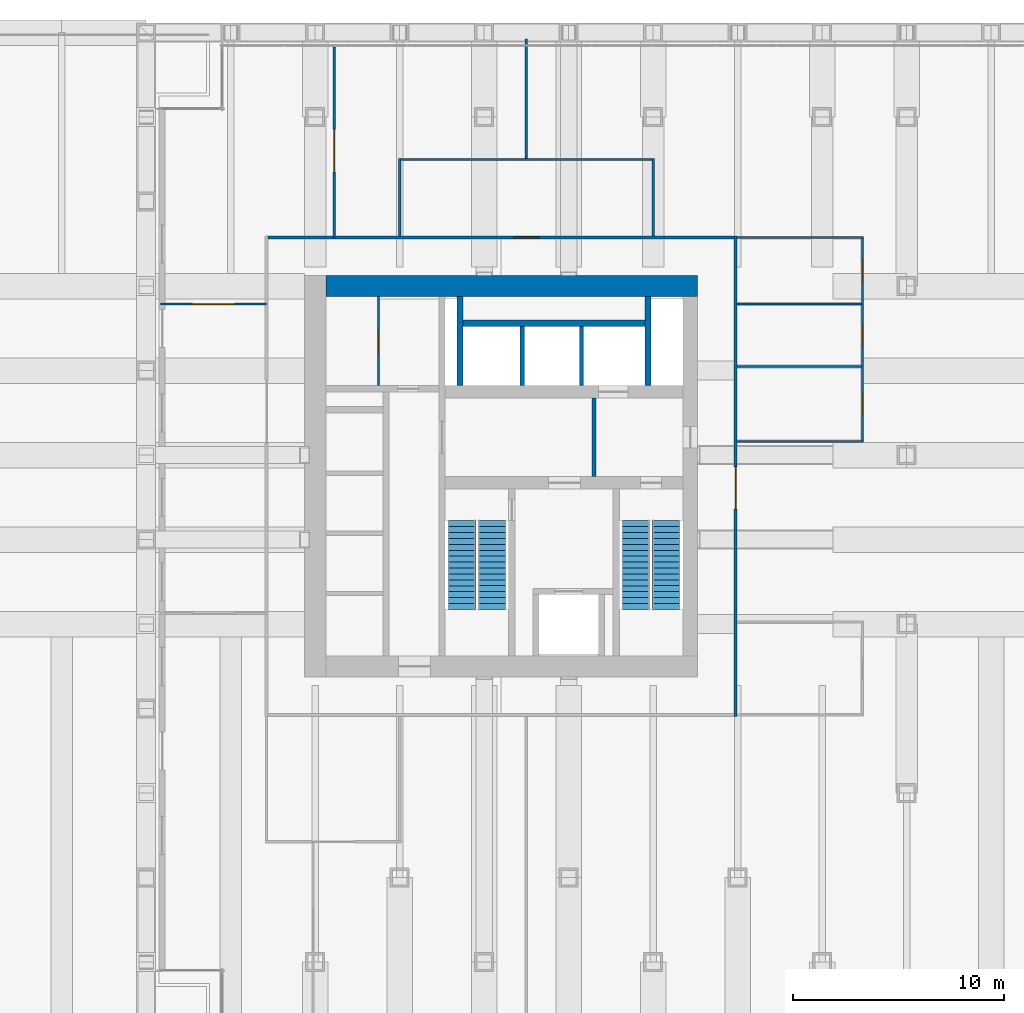
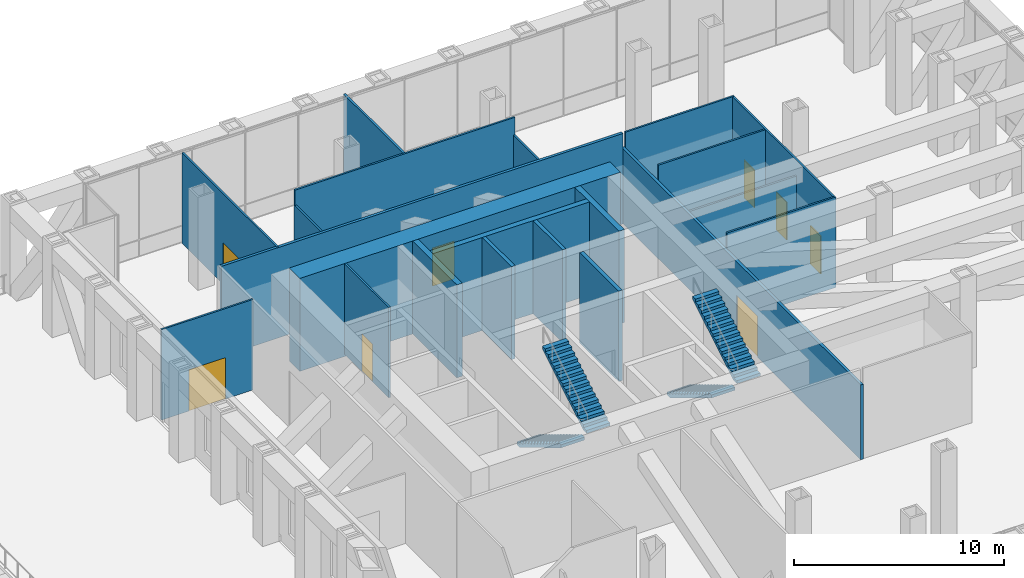
# One storey, part 13 of 14: 21 walls, 8 doors, 4 stair flights, 8 openings, 2 elements without a shape of their own.
"""IFC4 building model written with IfcOpenShell, lengths in metres."""

from ifc_helpers import new_model, si_unit, direction, frame, frame_2d, origin, place, context, subcontext, project, spatial, polyline, rectangle, outline, extrude, material, layer, layer_set, type_object, element, fill, aggregate, save


model = new_model("IFC4")

# Units and contexts
model_context = context("Model", 3, precision=1e-05, world=origin(), true_north=direction((0.0, 1.0)))
body_context = subcontext(model_context, "Body", "Model", "MODEL_VIEW")
ifc_project = project(units=[si_unit("LENGTHUNIT", "METRE"), si_unit("AREAUNIT", "SQUARE_METRE"), si_unit("VOLUMEUNIT", "CUBIC_METRE"), si_unit("PLANEANGLEUNIT", "RADIAN"), si_unit("MASSUNIT", "GRAM", prefix="KILO")], contexts=[model_context])

# Site, building, storey
site_placement = place(None, origin())
site = spatial("IfcSite", under=ifc_project, at=site_placement, CompositionType="ELEMENT")
building_placement = place(site_placement, origin())
building = spatial("IfcBuilding", under=site, at=building_placement, Name="Rimbunsela Tower", CompositionType="ELEMENT")
storey_placement = place(building_placement, frame((0.0, 0.0, 71.0)))
storey = spatial("IfcBuildingStorey", under=building, at=storey_placement, Name="L17", CompositionType="ELEMENT", Elevation=71.0)

# Walls
ifc_material_1 = material(Name="Concrete fc' 80 MPa", Category="concrete")
ifc_layer_1 = layer(ifc_material_1, 0.300048828125)
ifc_layer_set_1 = layer_set([ifc_layer_1], Name="Core internal wall 300")
wall_type_1 = type_object("IfcWallType", Name="Core internal wall 300", PredefinedType="SHEAR", material=ifc_layer_set_1)
for number, where, z_axis, x_axis, name in (
    (1, (24.85009765625, 31.300048828125, -0.14990234375), (0.0, 0.0, 1.0), (0.0, 1.0, 0.0), "Riser wall"),
    (2, (33.75, 31.300048828125, -0.14990234375), (0.0, 0.0, 1.0), (0.0, 1.0, 0.0), "Riser wall"),
):
    element("IfcWall", number, at=place(storey_placement, frame(where, z_axis=z_axis, x_axis=x_axis)), inside=storey, type_object=wall_type_1, Name=name, PredefinedType="SHEAR", context=body_context, shape_type="SweptSolid", body=[
        extrude(rectangle(XDim=4.199951171875, YDim=0.300048828125, at=frame_2d((2.10009765625, 0.0))), origin(), (0.0, 0.0, 1.0), 5.39990234375),
    ])
wall_1_placement = place(storey_placement, frame((25.0, 34.25, -0.14990234375), z_axis=(0.0, 0.0, 1.0), x_axis=(1.0, 0.0, 0.0)))
element("IfcWall", 3, at=wall_1_placement, inside=storey, type_object=wall_type_1, Name="Lift shaft rear north", PredefinedType="SHEAR", context=body_context, shape_type="SweptSolid", body=[
    extrude(rectangle(XDim=8.60009765625, YDim=0.300048828125, at=frame_2d((4.300048828125, 0.0))), origin(), (0.0, 0.0, 1.0), 5.39990234375),
])

# Wall, opening, door
ifc_material_2 = material(Name="Concrete blockwork", Category="masonry")
ifc_layer_2 = layer(ifc_material_2, 0.10009765625)
ifc_layer_set_2 = layer_set([ifc_layer_2], Name="Core room partition 100")
wall_type_2 = type_object("IfcWallType", Name="Core room partition 100", PredefinedType="PARTITIONING", material=ifc_layer_set_2)
wall_2_placement = place(storey_placement, frame((21.0, 31.300048828125, 0.0), z_axis=(0.0, 0.0, 1.0), x_axis=(0.0, 1.0, 0.0)))
wall_2 = element("IfcWall", 4, at=wall_2_placement, inside=storey, type_object=wall_type_2, Name="Tenant store wall", PredefinedType="PARTITIONING", context=body_context, shape_type="SweptSolid", body=[
    extrude(rectangle(XDim=4.199951171875, YDim=0.10009765625, at=frame_2d((2.10009765625, 0.0))), origin(), (0.0, 0.0, 1.0), 5.25),
])
opening_1_placement = place(wall_2_placement, frame((1.550048828125, 0.0, 0.0)))
opening_1 = element("IfcOpeningElement", 5, at=opening_1_placement, cuts=wall_2, Name="Opening D19", PredefinedType="OPENING", context=body_context, shape_type="SweptSolid", body=[
    extrude(rectangle(XDim=1.0, YDim=2.199951171875, at=frame_2d((0.5, 1.10009765625))), frame((0.0, 0.06005859375, 0.0), z_axis=(0.0, -1.0, 0.0), x_axis=(1.0, 0.0, 0.0)), (0.0, 0.0, 1.0), 0.1201171875),
])
ifc_material_3 = material(Name="Steel door, fire rated", Category="steel")
door_type_1 = type_object("IfcDoorType", Name="Service door 1000 fire rated", OperationType="SINGLE_SWING_LEFT", PredefinedType="DOOR", material=ifc_material_3)
door_1_placement = place(opening_1_placement, origin())
door_1 = element("IfcDoor", 6, at=door_1_placement, inside=storey, type_object=door_type_1, Name="Tenant store door", OperationType="SINGLE_SWING_LEFT", OverallHeight=2.199951171875, OverallWidth=1.0, PredefinedType="DOOR", context=body_context, shape_type="SweptSolid", body=[
    extrude(rectangle(XDim=1.0, YDim=2.199951171875, at=frame_2d((0.5, 1.10009765625))), frame((0.0, 0.02490234375, 0.0), z_axis=(0.0, -1.0, 0.0), x_axis=(1.0, 0.0, 0.0)), (0.0, 0.0, 1.0), 0.050048828125),
])
fill(opening_1, door_1)

# Walls
ifc_material_4 = material(Name="Concrete fc' 80 MPa", Category="concrete")
ifc_layer_3 = layer(ifc_material_4, 1.0)
ifc_layer_set_3 = layer_set([ifc_layer_3], Name="Core wall 1000")
wall_type_3 = type_object("IfcWallType", Name="Core wall 1000", PredefinedType="SHEAR", material=ifc_layer_set_3)
wall_3_placement = place(storey_placement, frame((18.5, 36.0, -0.14990234375), z_axis=(0.0, 0.0, 1.0), x_axis=(1.0, 0.0, 0.0)))
element("IfcWall", 7, at=wall_3_placement, inside=storey, type_object=wall_type_3, Name="Core wall north", PredefinedType="SHEAR", context=body_context, shape_type="SweptSolid", body=[
    extrude(rectangle(XDim=17.60009765625, YDim=1.0, at=frame_2d((8.800048828125, 0.0))), origin(), (0.0, 0.0, 1.0), 5.39990234375),
])
ifc_material_5 = material(Name="Concrete blockwork", Category="masonry")
ifc_layer_4 = layer(ifc_material_5, 0.199951171875)
ifc_layer_set_4 = layer_set([ifc_layer_4], Name="Lift shaft wall 200")
wall_type_4 = type_object("IfcWallType", Name="Lift shaft wall 200", PredefinedType="SOLIDWALL", material=ifc_layer_set_4)
for number, where, z_axis, x_axis, name in (
    (8, (27.800048828125, 31.300048828125, -0.14990234375), (0.0, 0.0, 1.0), (0.0, 1.0, 0.0), "Lift shaft separation"),
    (9, (30.60009765625, 31.300048828125, -0.14990234375), (0.0, 0.0, 1.0), (0.0, 1.0, 0.0), "Lift shaft separation"),
):
    element("IfcWall", number, at=place(storey_placement, frame(where, z_axis=z_axis, x_axis=x_axis)), inside=storey, type_object=wall_type_4, Name=name, PredefinedType="SOLIDWALL", context=body_context, shape_type="SweptSolid", body=[
        extrude(rectangle(XDim=2.800048828125, YDim=0.199951171875, at=frame_2d((1.39990234375, 0.0))), origin(), (0.0, 0.0, 1.0), 5.39990234375),
    ])
wall_4_placement = place(storey_placement, frame((31.199951171875, 27.0, 0.0), z_axis=(0.0, 0.0, 1.0), x_axis=(0.0, 1.0, 0.0)))
element("IfcWall", 10, at=wall_4_placement, inside=storey, type_object=wall_type_4, Name="Firefighting lobby 2 wall", PredefinedType="SOLIDWALL", context=body_context, shape_type="SweptSolid", body=[
    extrude(rectangle(XDim=3.699951171875, YDim=0.199951171875, at=frame_2d((1.85009765625, 0.0))), origin(), (0.0, 0.0, 1.0), 5.25),
])
ifc_material_6 = material(Name="Gypsum board on steel studs", Category="steel")
ifc_layer_5 = layer(ifc_material_6, 0.10009765625)
ifc_layer_set_5 = layer_set([ifc_layer_5], Name="Office partition 100")
wall_type_5 = type_object("IfcWallType", Name="Office partition 100", PredefinedType="PARTITIONING", material=ifc_layer_set_5)
wall_5_placement = place(storey_placement, frame((37.97509765625, 28.64990234375, 0.0), z_axis=(0.0, 0.0, 1.0), x_axis=(1.0, 0.0, 0.0)))
element("IfcWall", 11, at=wall_5_placement, inside=storey, type_object=wall_type_5, Name="Office partition", PredefinedType="PARTITIONING", context=body_context, shape_type="SweptSolid", body=[
    extrude(rectangle(XDim=5.974853515625, YDim=0.10009765625, at=frame_2d((2.9873046875, 0.0))), origin(), (0.0, 0.0, 1.0), 5.25),
])
wall_6_placement = place(storey_placement, frame((37.97509765625, 32.199951171875, 0.0), z_axis=(0.0, 0.0, 1.0), x_axis=(1.0, 0.0, 0.0)))
element("IfcWall", 12, at=wall_6_placement, inside=storey, type_object=wall_type_5, Name="Office partition", PredefinedType="PARTITIONING", context=body_context, shape_type="SweptSolid", body=[
    extrude(rectangle(XDim=5.875, YDim=0.10009765625, at=frame_2d((2.9375, 0.0))), origin(), (0.0, 0.0, 1.0), 4.35009765625),
])
wall_7_placement = place(storey_placement, frame((37.97509765625, 35.14990234375, 0.0), z_axis=(0.0, 0.0, 1.0), x_axis=(1.0, 0.0, 0.0)))
element("IfcWall", 13, at=wall_7_placement, inside=storey, type_object=wall_type_5, Name="Office partition", PredefinedType="PARTITIONING", context=body_context, shape_type="SweptSolid", body=[
    extrude(rectangle(XDim=5.875, YDim=0.10009765625, at=frame_2d((2.9375, 0.0))), origin(), (0.0, 0.0, 1.0), 5.25),
])
wall_8_placement = place(storey_placement, frame((37.97509765625, 38.300048828125, 0.0), z_axis=(0.0, 0.0, 1.0), x_axis=(1.0, 0.0, 0.0)))
element("IfcWall", 14, at=wall_8_placement, inside=storey, type_object=wall_type_5, Name="Office partition", PredefinedType="PARTITIONING", context=body_context, shape_type="SweptSolid", body=[
    extrude(rectangle(XDim=5.974853515625, YDim=0.10009765625, at=frame_2d((2.9873046875, 0.0))), origin(), (0.0, 0.0, 1.0), 5.25),
])

# Wall, openings, doors
wall_9_placement = place(storey_placement, frame((43.89990234375, 28.699951171875, 0.0), z_axis=(0.0, 0.0, 1.0), x_axis=(0.0, 1.0, 0.0)))
wall_9 = element("IfcWall", 15, at=wall_9_placement, inside=storey, type_object=wall_type_5, Name="Office partition", PredefinedType="PARTITIONING", context=body_context, shape_type="SweptSolid", body=[
    extrude(rectangle(XDim=9.550048828125, YDim=0.10009765625, at=frame_2d((4.77490234375, 0.0))), origin(), (0.0, 0.0, 1.0), 5.25),
])
opening_2_placement = place(wall_9_placement, frame((1.22509765625, 0.0, 0.0)))
opening_2 = element("IfcOpeningElement", 16, at=opening_2_placement, cuts=wall_9, Name="Opening D16", PredefinedType="OPENING", context=body_context, shape_type="SweptSolid", body=[
    extrude(rectangle(XDim=1.0, YDim=2.199951171875, at=frame_2d((0.5, 1.10009765625))), frame((0.0, 0.06005859375, 0.0), z_axis=(0.0, -1.0, 0.0), x_axis=(1.0, 0.0, 0.0)), (0.0, 0.0, 1.0), 0.1201171875),
])
opening_3_placement = place(wall_9_placement, frame((4.47509765625, 0.0, 0.0)))
opening_3 = element("IfcOpeningElement", 17, at=opening_3_placement, cuts=wall_9, Name="Opening D16", PredefinedType="OPENING", context=body_context, shape_type="SweptSolid", body=[
    extrude(rectangle(XDim=1.0, YDim=2.199951171875, at=frame_2d((0.5, 1.10009765625))), frame((0.0, 0.06005859375, 0.0), z_axis=(0.0, -1.0, 0.0), x_axis=(1.0, 0.0, 0.0)), (0.0, 0.0, 1.0), 0.1201171875),
])
opening_4_placement = place(wall_9_placement, frame((7.52490234375, 0.0, 0.0)))
opening_4 = element("IfcOpeningElement", 18, at=opening_4_placement, cuts=wall_9, Name="Opening D16", PredefinedType="OPENING", context=body_context, shape_type="SweptSolid", body=[
    extrude(rectangle(XDim=1.0, YDim=2.199951171875, at=frame_2d((0.5, 1.10009765625))), frame((0.0, 0.06005859375, 0.0), z_axis=(0.0, -1.0, 0.0), x_axis=(1.0, 0.0, 0.0)), (0.0, 0.0, 1.0), 0.1201171875),
])
ifc_material_7 = material(Name="Timber door", Category="wood")
door_type_2 = type_object("IfcDoorType", Name="Office door 1000", OperationType="SINGLE_SWING_LEFT", PredefinedType="DOOR", material=ifc_material_7)
door_2_placement = place(opening_2_placement, origin())
door_2 = element("IfcDoor", 19, at=door_2_placement, inside=storey, type_object=door_type_2, Name="Office door", OperationType="SINGLE_SWING_LEFT", OverallHeight=2.199951171875, OverallWidth=1.0, PredefinedType="DOOR", context=body_context, shape_type="SweptSolid", body=[
    extrude(rectangle(XDim=1.0, YDim=2.199951171875, at=frame_2d((0.5, 1.10009765625))), frame((0.0, 0.02490234375, 0.0), z_axis=(0.0, -1.0, 0.0), x_axis=(1.0, 0.0, 0.0)), (0.0, 0.0, 1.0), 0.050048828125),
])
fill(opening_2, door_2)
door_3_placement = place(opening_3_placement, origin())
door_3 = element("IfcDoor", 20, at=door_3_placement, inside=storey, type_object=door_type_2, Name="Office door", OperationType="SINGLE_SWING_LEFT", OverallHeight=2.199951171875, OverallWidth=1.0, PredefinedType="DOOR", context=body_context, shape_type="SweptSolid", body=[
    extrude(rectangle(XDim=1.0, YDim=2.199951171875, at=frame_2d((0.5, 1.10009765625))), frame((0.0, 0.02490234375, 0.0), z_axis=(0.0, -1.0, 0.0), x_axis=(1.0, 0.0, 0.0)), (0.0, 0.0, 1.0), 0.050048828125),
])
fill(opening_3, door_3)
door_4_placement = place(opening_4_placement, origin())
door_4 = element("IfcDoor", 21, at=door_4_placement, inside=storey, type_object=door_type_2, Name="Office door", OperationType="SINGLE_SWING_LEFT", OverallHeight=2.199951171875, OverallWidth=1.0, PredefinedType="DOOR", context=body_context, shape_type="SweptSolid", body=[
    extrude(rectangle(XDim=1.0, YDim=2.199951171875, at=frame_2d((0.5, 1.10009765625))), frame((0.0, 0.02490234375, 0.0), z_axis=(0.0, -1.0, 0.0), x_axis=(1.0, 0.0, 0.0)), (0.0, 0.0, 1.0), 0.050048828125),
])
fill(opening_4, door_4)

# Wall, opening, door
wall_10_placement = place(storey_placement, frame((10.679931640625, 35.14990234375, 0.0), z_axis=(0.0, 0.0, 1.0), x_axis=(1.0, 0.0, 0.0)))
wall_10 = element("IfcWall", 22, at=wall_10_placement, inside=storey, type_object=wall_type_5, Name="Plant room partition", PredefinedType="PARTITIONING", context=body_context, shape_type="SweptSolid", body=[
    extrude(rectangle(XDim=5.02001953125, YDim=0.10009765625, at=frame_2d((2.510009765625, 0.0))), origin(), (0.0, 0.0, 1.0), 5.25),
])
opening_5_placement = place(wall_10_placement, frame((1.510009765625, 0.0, 0.0)))
opening_5 = element("IfcOpeningElement", 23, at=opening_5_placement, cuts=wall_10, Name="Opening D08", PredefinedType="OPENING", context=body_context, shape_type="SweptSolid", body=[
    extrude(rectangle(XDim=2.0, YDim=2.39990234375, at=frame_2d((1.0, 1.199951171875))), frame((0.0, 0.06005859375, 0.0), z_axis=(0.0, -1.0, 0.0), x_axis=(1.0, 0.0, 0.0)), (0.0, 0.0, 1.0), 0.1201171875),
])
ifc_material_8 = material(Name="Steel door, fire rated", Category="steel")
door_type_3 = type_object("IfcDoorType", Name="Plant room door 2000", OperationType="DOUBLE_DOOR_DOUBLE_SWING", PredefinedType="DOOR", material=ifc_material_8)
door_5_placement = place(opening_5_placement, origin())
door_5 = element("IfcDoor", 24, at=door_5_placement, inside=storey, type_object=door_type_3, Name="Plant room door", OperationType="DOUBLE_DOOR_DOUBLE_SWING", OverallHeight=2.39990234375, OverallWidth=2.0, PredefinedType="DOOR", context=body_context, shape_type="SweptSolid", body=[
    extrude(rectangle(XDim=2.0, YDim=2.39990234375, at=frame_2d((1.0, 1.199951171875))), frame((0.0, 0.02490234375, 0.0), z_axis=(0.0, -1.0, 0.0), x_axis=(1.0, 0.0, 0.0)), (0.0, 0.0, 1.0), 0.050048828125),
])
fill(opening_5, door_5)

wall_11_placement = place(storey_placement, frame((18.89892578125, 47.320068359375, 0.0), z_axis=(0.0, 0.0, 1.0), x_axis=(0.0, -1.0, 0.0)))
wall_11 = element("IfcWall", 25, at=wall_11_placement, inside=storey, type_object=wall_type_5, Name="Plant room partition", PredefinedType="PARTITIONING", context=body_context, shape_type="SweptSolid", body=[
    extrude(rectangle(XDim=9.02001953125, YDim=0.10009765625, at=frame_2d((4.510009765625, 0.0))), origin(), (0.0, 0.0, 1.0), 5.25),
])
opening_6_placement = place(wall_11_placement, frame((3.909912109375, 0.0, 0.0)))
opening_6 = element("IfcOpeningElement", 26, at=opening_6_placement, cuts=wall_11, Name="Opening D08", PredefinedType="OPENING", context=body_context, shape_type="SweptSolid", body=[
    extrude(rectangle(XDim=2.0, YDim=2.39990234375, at=frame_2d((1.0, 1.199951171875))), frame((0.0, 0.06005859375, 0.0), z_axis=(0.0, -1.0, 0.0), x_axis=(1.0, 0.0, 0.0)), (0.0, 0.0, 1.0), 0.1201171875),
])
door_6_placement = place(opening_6_placement, origin())
door_6 = element("IfcDoor", 27, at=door_6_placement, inside=storey, type_object=door_type_3, Name="Plant room door", OperationType="DOUBLE_DOOR_DOUBLE_SWING", OverallHeight=2.39990234375, OverallWidth=2.0, PredefinedType="DOOR", context=body_context, shape_type="SweptSolid", body=[
    extrude(rectangle(XDim=2.0, YDim=2.39990234375, at=frame_2d((1.0, 1.199951171875))), frame((0.0, 0.02490234375, 0.0), z_axis=(0.0, -1.0, 0.0), x_axis=(1.0, 0.0, 0.0)), (0.0, 0.0, 1.0), 0.050048828125),
])
fill(opening_6, door_6)

ifc_material_9 = material(Name="Fire-rated gypsum board on steel studs, EI 60", Category="steel")
ifc_layer_6 = layer(ifc_material_9, 0.14990234375)
ifc_layer_set_6 = layer_set([ifc_layer_6], Name="Rated corridor wall 150")
wall_type_6 = type_object("IfcWallType", Name="Rated corridor wall 150", PredefinedType="PARTITIONING", material=ifc_layer_set_6)
wall_12_placement = place(storey_placement, frame((37.89990234375, 15.625, 0.0), z_axis=(0.0, 0.0, 1.0), x_axis=(0.0, 1.0, 0.0)))
wall_12 = element("IfcWall", 28, at=wall_12_placement, inside=storey, type_object=wall_type_6, Name="Corridor wall east", PredefinedType="PARTITIONING", context=body_context, shape_type="SweptSolid", body=[
    extrude(rectangle(XDim=22.75, YDim=0.14990234375, at=frame_2d((11.375, 0.0))), origin(), (0.0, 0.0, 1.0), 4.35009765625),
])
opening_7_placement = place(wall_12_placement, frame((9.824951171875, 0.0, 0.0)))
opening_7 = element("IfcOpeningElement", 29, at=opening_7_placement, cuts=wall_12, Name="Opening D08", PredefinedType="OPENING", context=body_context, shape_type="SweptSolid", body=[
    extrude(rectangle(XDim=2.0, YDim=2.39990234375, at=frame_2d((1.0, 1.199951171875))), frame((0.0, 0.0849609375, 0.0), z_axis=(0.0, -1.0, 0.0), x_axis=(1.0, 0.0, 0.0)), (0.0, 0.0, 1.0), 0.169921875),
])
door_7_placement = place(opening_7_placement, origin())
door_7 = element("IfcDoor", 30, at=door_7_placement, inside=storey, type_object=door_type_3, Name="Refuge area door", OperationType="DOUBLE_DOOR_DOUBLE_SWING", OverallHeight=2.39990234375, OverallWidth=2.0, PredefinedType="DOOR", context=body_context, shape_type="SweptSolid", body=[
    extrude(rectangle(XDim=2.0, YDim=2.39990234375, at=frame_2d((1.0, 1.199951171875))), frame((0.0, 0.02490234375, 0.0), z_axis=(0.0, -1.0, 0.0), x_axis=(1.0, 0.0, 0.0)), (0.0, 0.0, 1.0), 0.050048828125),
])
fill(opening_7, door_7)

wall_13_placement = place(storey_placement, frame((15.77490234375, 38.300048828125, 0.0), z_axis=(0.0, 0.0, 1.0), x_axis=(1.0, 0.0, 0.0)))
wall_13 = element("IfcWall", 31, at=wall_13_placement, inside=storey, type_object=wall_type_6, Name="Corridor wall north", PredefinedType="PARTITIONING", context=body_context, shape_type="SweptSolid", body=[
    extrude(rectangle(XDim=22.050048828125, YDim=0.14990234375, at=frame_2d((11.02490234375, 0.0))), origin(), (0.0, 0.0, 1.0), 5.25),
])
opening_8_placement = place(wall_13_placement, frame((11.625, 0.0, 0.0)))
opening_8 = element("IfcOpeningElement", 32, at=opening_8_placement, cuts=wall_13, Name="Opening D10", PredefinedType="OPENING", context=body_context, shape_type="SweptSolid", body=[
    extrude(rectangle(XDim=1.199951171875, YDim=2.199951171875, at=frame_2d((0.60009765625, 1.10009765625))), frame((0.0, 0.0849609375, 0.0), z_axis=(0.0, -1.0, 0.0), x_axis=(1.0, 0.0, 0.0)), (0.0, 0.0, 1.0), 0.169921875),
])
ifc_material_10 = material(Name="Steel door, fire rated", Category="steel")
door_type_4 = type_object("IfcDoorType", Name="Switch room door 1200", OperationType="DOUBLE_DOOR_DOUBLE_SWING", PredefinedType="DOOR", material=ifc_material_10)
door_8_placement = place(opening_8_placement, origin())
door_8 = element("IfcDoor", 33, at=door_8_placement, inside=storey, type_object=door_type_4, Name="Switch room door", OperationType="DOUBLE_DOOR_DOUBLE_SWING", OverallHeight=2.199951171875, OverallWidth=1.199951171875, PredefinedType="DOOR", context=body_context, shape_type="SweptSolid", body=[
    extrude(rectangle(XDim=1.199951171875, YDim=2.199951171875, at=frame_2d((0.60009765625, 1.10009765625))), frame((0.0, 0.02490234375, 0.0), z_axis=(0.0, -1.0, 0.0), x_axis=(1.0, 0.0, 0.0)), (0.0, 0.0, 1.0), 0.050048828125),
])
fill(opening_8, door_8)

# Walls
ifc_material_11 = material(Name="Gypsum board on steel studs", Category="steel")
ifc_layer_7 = layer(ifc_material_11, 0.1201171875)
ifc_layer_set_7 = layer_set([ifc_layer_7], Name="Tenancy partition 120")
wall_type_7 = type_object("IfcWallType", Name="Tenancy partition 120", PredefinedType="PARTITIONING", material=ifc_layer_set_7)
wall_14_placement = place(storey_placement, frame((28.0, 42.050048828125, 0.0), z_axis=(0.0, 0.0, 1.0), x_axis=(0.0, 1.0, 0.0)))
element("IfcWall", 34, at=wall_14_placement, inside=storey, type_object=wall_type_7, Name="Tenancy partition north", PredefinedType="PARTITIONING", context=body_context, shape_type="SweptSolid", body=[
    extrude(rectangle(XDim=5.64990234375, YDim=0.1201171875, at=frame_2d((2.824951171875, 0.0))), origin(), (0.0, 0.0, 1.0), 5.25),
])
ifc_material_12 = material(Name="Concrete blockwork", Category="masonry")
ifc_layer_8 = layer(ifc_material_12, 0.10009765625)
ifc_layer_set_8 = layer_set([ifc_layer_8], Name="Toilet partition 100")
wall_type_8 = type_object("IfcWallType", Name="Toilet partition 100", PredefinedType="PARTITIONING", material=ifc_layer_set_8)
wall_15_placement = place(storey_placement, frame((22.0, 38.375, 0.0), z_axis=(0.0, 0.0, 1.0), x_axis=(0.0, 1.0, 0.0)))
element("IfcWall", 35, at=wall_15_placement, inside=storey, type_object=wall_type_8, Name="Toilet block wall west", PredefinedType="PARTITIONING", context=body_context, shape_type="SweptSolid", body=[
    extrude(rectangle(XDim=3.675048828125, YDim=0.10009765625, at=frame_2d((1.83740234375, 0.0))), origin(), (0.0, 0.0, 1.0), 4.35009765625),
])
wall_16_placement = place(storey_placement, frame((34.0, 38.375, 0.0), z_axis=(0.0, 0.0, 1.0), x_axis=(0.0, 1.0, 0.0)))
element("IfcWall", 36, at=wall_16_placement, inside=storey, type_object=wall_type_8, Name="Toilet block wall east", PredefinedType="PARTITIONING", context=body_context, shape_type="SweptSolid", body=[
    extrude(rectangle(XDim=3.675048828125, YDim=0.10009765625, at=frame_2d((1.83740234375, 0.0))), origin(), (0.0, 0.0, 1.0), 4.25),
])
wall_17_placement = place(storey_placement, frame((21.949951171875, 42.0, 0.0), z_axis=(0.0, 0.0, 1.0), x_axis=(1.0, 0.0, 0.0)))
element("IfcWall", 37, at=wall_17_placement, inside=storey, type_object=wall_type_8, Name="Toilet block wall north", PredefinedType="PARTITIONING", context=body_context, shape_type="SweptSolid", body=[
    extrude(rectangle(XDim=12.10009765625, YDim=0.10009765625, at=frame_2d((6.050048828125, 0.0))), origin(), (0.0, 0.0, 1.0), 5.25),
])

# Stair, stair flights
ifc_material_13 = material(Name="Concrete fc' 35 MPa", Category="concrete")
stair_type = type_object("IfcStairType", Name="Exit stair 32 risers", PredefinedType="HALF_TURN_STAIR", material=ifc_material_13)
stair_1_placement = place(storey_placement, origin())
stair_1 = element("IfcStair", 38, at=stair_1_placement, inside=storey, type_object=stair_type, Name="Exit stair A L17", PredefinedType="HALF_TURN_STAIR")
ifc_material_14 = material(Name="Concrete fc' 35 MPa", Category="concrete")
stair_flight_type = type_object("IfcStairFlightType", Name="Stair flight 16 risers 169", PredefinedType="STRAIGHT", material=ifc_material_14)
stair_flight_1_placement = place(storey_placement, frame((24.949951171875, 24.89990234375, 0.0), z_axis=(0.0, 0.0, 1.0), x_axis=(0.0, -1.0, 0.0)))
stair_flight_1 = element("IfcStairFlight", 39, at=stair_flight_1_placement, type_object=stair_flight_type, Name="ST-A flight 1", NumberOfRisers=16, NumberOfTreads=15, PredefinedType="STRAIGHT", RiserHeight=0.16875, TreadLength=0.28, context=body_context, shape_type="SweptSolid", body=[
    extrude(outline(polyline([(0.0, 0.0), (0.0, 0.168701171875), (0.280029296875, 0.168701171875), (0.280029296875, 0.33740234375), (0.56005859375, 0.33740234375), (0.56005859375, 0.50634765625), (0.840087890625, 0.50634765625), (0.840087890625, 0.675048828125), (1.1201171875, 0.675048828125), (1.1201171875, 0.84375), (1.39990234375, 0.84375), (1.39990234375, 1.012451171875), (1.679931640625, 1.012451171875), (1.679931640625, 1.18115234375), (1.9599609375, 1.18115234375), (1.9599609375, 1.35009765625), (2.239990234375, 1.35009765625), (2.239990234375, 1.518798828125), (2.52001953125, 1.518798828125), (2.52001953125, 1.6875), (2.800048828125, 1.6875), (2.800048828125, 1.856201171875), (3.080078125, 1.856201171875), (3.080078125, 2.02490234375), (3.360107421875, 2.02490234375), (3.360107421875, 2.19384765625), (3.639892578125, 2.19384765625), (3.639892578125, 2.362548828125), (3.919921875, 2.362548828125), (3.919921875, 2.53125), (4.199951171875, 2.53125), (4.199951171875, 2.699951171875), (4.199951171875, 2.356201171875), (0.29052734375, 0.0), (0.0, 0.0)])), frame((0.0, 0.64990234375, 0.0), z_axis=(0.0, -1.0, 0.0), x_axis=(1.0, 0.0, 0.0)), (0.0, 0.0, 1.0), 1.300048828125),
])
stair_flight_2_placement = place(storey_placement, frame((26.35009765625, 20.699951171875, 2.699951171875), z_axis=(0.0, 0.0, 1.0), x_axis=(0.0, 1.0, 0.0)))
stair_flight_2 = element("IfcStairFlight", 40, at=stair_flight_2_placement, type_object=stair_flight_type, Name="ST-A flight 2", NumberOfRisers=16, NumberOfTreads=15, PredefinedType="STRAIGHT", RiserHeight=0.16875, TreadLength=0.28, context=body_context, shape_type="SweptSolid", body=[
    extrude(outline(polyline([(0.0, 0.0), (0.0, 0.168701171875), (0.280029296875, 0.168701171875), (0.280029296875, 0.33740234375), (0.56005859375, 0.33740234375), (0.56005859375, 0.50634765625), (0.840087890625, 0.50634765625), (0.840087890625, 0.675048828125), (1.1201171875, 0.675048828125), (1.1201171875, 0.84375), (1.39990234375, 0.84375), (1.39990234375, 1.012451171875), (1.679931640625, 1.012451171875), (1.679931640625, 1.18115234375), (1.9599609375, 1.18115234375), (1.9599609375, 1.35009765625), (2.239990234375, 1.35009765625), (2.239990234375, 1.518798828125), (2.52001953125, 1.518798828125), (2.52001953125, 1.6875), (2.800048828125, 1.6875), (2.800048828125, 1.856201171875), (3.080078125, 1.856201171875), (3.080078125, 2.02490234375), (3.360107421875, 2.02490234375), (3.360107421875, 2.19384765625), (3.639892578125, 2.19384765625), (3.639892578125, 2.362548828125), (3.919921875, 2.362548828125), (3.919921875, 2.53125), (4.199951171875, 2.53125), (4.199951171875, 2.699951171875), (4.199951171875, 2.356201171875), (0.29052734375, 0.0), (0.0, 0.0)])), frame((0.0, 0.64990234375, 0.0), z_axis=(0.0, -1.0, 0.0), x_axis=(1.0, 0.0, 0.0)), (0.0, 0.0, 1.0), 1.300048828125),
])
aggregate(stair_1, [stair_flight_1, stair_flight_2])

stair_2_placement = place(storey_placement, origin())
stair_2 = element("IfcStair", 41, at=stair_2_placement, inside=storey, type_object=stair_type, Name="Exit stair B L17", PredefinedType="HALF_TURN_STAIR")
stair_flight_3_placement = place(storey_placement, frame((33.199951171875, 24.89990234375, 0.0), z_axis=(0.0, 0.0, 1.0), x_axis=(0.0, -1.0, 0.0)))
stair_flight_3 = element("IfcStairFlight", 42, at=stair_flight_3_placement, type_object=stair_flight_type, Name="ST-B flight 1", NumberOfRisers=16, NumberOfTreads=15, PredefinedType="STRAIGHT", RiserHeight=0.16875, TreadLength=0.28, context=body_context, shape_type="SweptSolid", body=[
    extrude(outline(polyline([(0.0, 0.0), (0.0, 0.168701171875), (0.280029296875, 0.168701171875), (0.280029296875, 0.33740234375), (0.56005859375, 0.33740234375), (0.56005859375, 0.50634765625), (0.840087890625, 0.50634765625), (0.840087890625, 0.675048828125), (1.1201171875, 0.675048828125), (1.1201171875, 0.84375), (1.39990234375, 0.84375), (1.39990234375, 1.012451171875), (1.679931640625, 1.012451171875), (1.679931640625, 1.18115234375), (1.9599609375, 1.18115234375), (1.9599609375, 1.35009765625), (2.239990234375, 1.35009765625), (2.239990234375, 1.518798828125), (2.52001953125, 1.518798828125), (2.52001953125, 1.6875), (2.800048828125, 1.6875), (2.800048828125, 1.856201171875), (3.080078125, 1.856201171875), (3.080078125, 2.02490234375), (3.360107421875, 2.02490234375), (3.360107421875, 2.19384765625), (3.639892578125, 2.19384765625), (3.639892578125, 2.362548828125), (3.919921875, 2.362548828125), (3.919921875, 2.53125), (4.199951171875, 2.53125), (4.199951171875, 2.699951171875), (4.199951171875, 2.356201171875), (0.29052734375, 0.0), (0.0, 0.0)])), frame((0.0, 0.64990234375, 0.0), z_axis=(0.0, -1.0, 0.0), x_axis=(1.0, 0.0, 0.0)), (0.0, 0.0, 1.0), 1.300048828125),
])
stair_flight_4_placement = place(storey_placement, frame((34.60009765625, 20.699951171875, 2.699951171875), z_axis=(0.0, 0.0, 1.0), x_axis=(0.0, 1.0, 0.0)))
stair_flight_4 = element("IfcStairFlight", 43, at=stair_flight_4_placement, type_object=stair_flight_type, Name="ST-B flight 2", NumberOfRisers=16, NumberOfTreads=15, PredefinedType="STRAIGHT", RiserHeight=0.16875, TreadLength=0.28, context=body_context, shape_type="SweptSolid", body=[
    extrude(outline(polyline([(0.0, 0.0), (0.0, 0.168701171875), (0.280029296875, 0.168701171875), (0.280029296875, 0.33740234375), (0.56005859375, 0.33740234375), (0.56005859375, 0.50634765625), (0.840087890625, 0.50634765625), (0.840087890625, 0.675048828125), (1.1201171875, 0.675048828125), (1.1201171875, 0.84375), (1.39990234375, 0.84375), (1.39990234375, 1.012451171875), (1.679931640625, 1.012451171875), (1.679931640625, 1.18115234375), (1.9599609375, 1.18115234375), (1.9599609375, 1.35009765625), (2.239990234375, 1.35009765625), (2.239990234375, 1.518798828125), (2.52001953125, 1.518798828125), (2.52001953125, 1.6875), (2.800048828125, 1.6875), (2.800048828125, 1.856201171875), (3.080078125, 1.856201171875), (3.080078125, 2.02490234375), (3.360107421875, 2.02490234375), (3.360107421875, 2.19384765625), (3.639892578125, 2.19384765625), (3.639892578125, 2.362548828125), (3.919921875, 2.362548828125), (3.919921875, 2.53125), (4.199951171875, 2.53125), (4.199951171875, 2.699951171875), (4.199951171875, 2.356201171875), (0.29052734375, 0.0), (0.0, 0.0)])), frame((0.0, 0.64990234375, 0.0), z_axis=(0.0, -1.0, 0.0), x_axis=(1.0, 0.0, 0.0)), (0.0, 0.0, 1.0), 1.300048828125),
])
aggregate(stair_2, [stair_flight_3, stair_flight_4])

save(model, "model.ifc")
